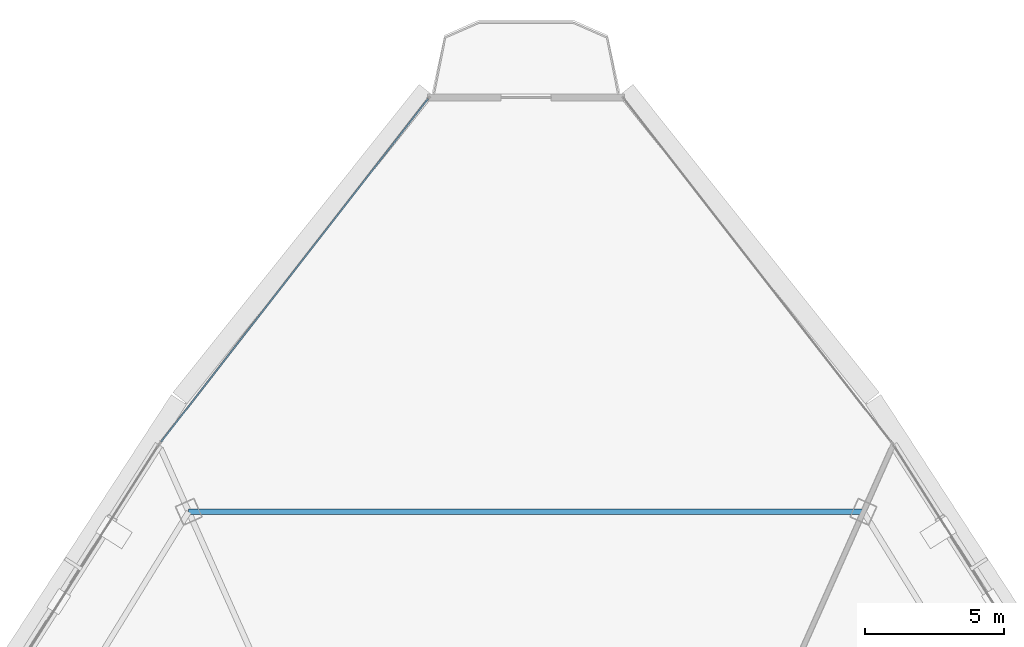
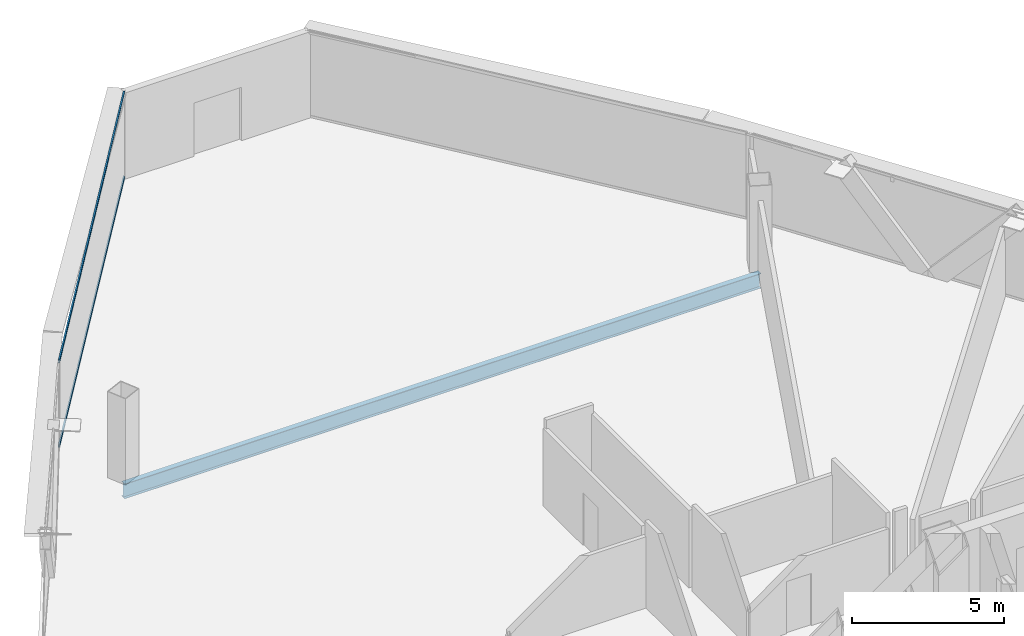
# One storey, part 23 of 39: 2 members, 1 beam, 1 element without a shape of its own.
"""IFC4 building model written with IfcOpenShell, lengths in metres."""

import ifcopenshell
import ifcopenshell.guid

model = None  # the IFC model being written
_history = None  # IfcOwnerHistory: only IFC2X3 demands one
_inside = {}  # id of a spatial element -> (the spatial element, [elements in it])
_under = {}  # id of a project, library or spatial element -> (it, [spatial elements below it])
_declared = {}  # id of a project -> (the project, [libraries it declares])
_typed = {}  # id of a type object -> (the type object, [elements of that type])
_made_of = {}  # id of a material, layer set ... -> (it, [elements and type objects made of it])


def new_model(schema):
    """Start an empty IFC model of exactly this schema.

    Asked for "IFC4X3", IfcOpenShell would pick the latest addendum, in which some entities
    have other attributes; the version numbers below select the first issue.
    IFC2X3 requires an IfcOwnerHistory on every rooted entity: one is made here for all.
    """
    global model, _history
    if schema == "IFC4X3":
        model = ifcopenshell.file(schema_version=(4, 3, 0, 0))
    else:
        model = ifcopenshell.file(schema=schema)
    _inside.clear()
    _under.clear()
    _declared.clear()
    _typed.clear()
    _made_of.clear()
    _history = None
    if model.schema == "IFC2X3":
        org = make("IfcOrganization", Name="unknown")
        user = make(
            "IfcPersonAndOrganization",
            ThePerson=make("IfcPerson", FamilyName="unknown"),
            TheOrganization=org,
        )
        app = make(
            "IfcApplication",
            ApplicationDeveloper=org,
            Version="unknown",
            ApplicationFullName="unknown",
            ApplicationIdentifier="unknown",
        )
        _history = make(
            "IfcOwnerHistory",
            OwningUser=user,
            OwningApplication=app,
            ChangeAction="ADDED",
            CreationDate=0,
        )
    return model


def make(cls, **values):
    """One entity of the class cls with the attributes given. An attribute that is None is left unset."""
    return model.create_entity(
        cls, **{name: value for name, value in values.items() if value is not None}
    )


def rooted(cls, **values):
    """An entity with a GlobalId (a new one), such as an element, a storey or a relation."""
    return make(cls, GlobalId=ifcopenshell.guid.new(), OwnerHistory=_history, **values)


def si_unit(unit_type, name, prefix=None):
    """IfcSIUnit, for example si_unit("LENGTHUNIT", "METRE", prefix="MILLI")."""
    return make("IfcSIUnit", UnitType=unit_type, Prefix=prefix, Name=name)


def assignment(units):
    """IfcUnitAssignment: the units of a project."""
    return None if units is None else make("IfcUnitAssignment", Units=units)


def point(xyz):
    """IfcCartesianPoint."""
    return None if xyz is None else make("IfcCartesianPoint", Coordinates=xyz)


def direction(xyz):
    """IfcDirection."""
    return None if xyz is None else make("IfcDirection", DirectionRatios=xyz)


def frame(location, z_axis=None, x_axis=None):
    """IfcAxis2Placement3D, a coordinate frame: its origin and axes. An axis left out is left unset."""
    return make(
        "IfcAxis2Placement3D",
        Location=point(location),
        Axis=direction(z_axis),
        RefDirection=direction(x_axis),
    )


def frame_2d(location, x_axis=None):
    """IfcAxis2Placement2D, a coordinate frame in the plane: its origin and x axis."""
    return make(
        "IfcAxis2Placement2D", Location=point(location), RefDirection=direction(x_axis)
    )


def origin():
    """The frame at (0, 0, 0) with its axes left unset."""
    return frame((0.0, 0.0, 0.0))


def origin_2d():
    """The frame at (0, 0) in the plane with its x axis left unset."""
    return frame_2d((0.0, 0.0))


def place(relative_to, where):
    """IfcLocalPlacement: puts the frame where relative to a parent placement (None: the world)."""
    return make(
        "IfcLocalPlacement", PlacementRelTo=relative_to, RelativePlacement=where
    )


def context(
    kind, dimensions, precision=None, world=None, true_north=None, identifier=None
):
    """IfcGeometricRepresentationContext, for example the 3D "Model" context."""
    return make(
        "IfcGeometricRepresentationContext",
        ContextIdentifier=identifier,
        ContextType=kind,
        CoordinateSpaceDimension=dimensions,
        Precision=precision,
        WorldCoordinateSystem=world,
        TrueNorth=true_north,
    )


def subcontext(parent, identifier, kind, view, scale=None):
    """IfcGeometricRepresentationSubContext, for example "Body" below "Model"."""
    return make(
        "IfcGeometricRepresentationSubContext",
        ContextIdentifier=identifier,
        ContextType=kind,
        ParentContext=parent,
        TargetScale=scale,
        TargetView=view,
    )


def project(units=None, contexts=None):
    """IfcProject with its units and contexts."""
    return rooted(
        "IfcProject",
        Name="project",
        RepresentationContexts=contexts,
        UnitsInContext=assignment(units),
    )


def spatial(cls, under=None, at=None, **own):
    """A site, building, storey or space (cls), placed at a placement, below another one or the project."""
    s = rooted(cls, ObjectPlacement=at, **own)
    if under is not None:
        _under.setdefault(under.id(), (under, []))[1].append(s)
    return s


def profile(cls, at=None, kind="AREA", **sizes):
    """A parametric profile (cls). Its sizes go by their IFC names, for example OverallWidth=200.0."""
    return make(cls, ProfileType=kind, Position=at, **sizes)


def hollow_rectangle(**sizes):
    """IfcRectangleHollowProfileDef."""
    return profile("IfcRectangleHollowProfileDef", **sizes)


def i_section(**sizes):
    """IfcIShapeProfileDef."""
    return profile("IfcIShapeProfileDef", **sizes)


def extrude(swept, where, along, depth):
    """IfcExtrudedAreaSolid: the profile swept, set in the frame where, extruded along a direction by depth."""
    return make(
        "IfcExtrudedAreaSolid",
        SweptArea=swept,
        Position=where,
        ExtrudedDirection=direction(along),
        Depth=depth,
    )


def shape(context_of_items, identifier, shape_type, items):
    """IfcShapeRepresentation: the items that make up one representation, for example the "Body"."""
    return make(
        "IfcShapeRepresentation",
        ContextOfItems=context_of_items,
        RepresentationIdentifier=identifier,
        RepresentationType=shape_type,
        Items=items,
    )


def source(mapping_origin, context_of_items, identifier, shape_type, items):
    """IfcRepresentationMap: a shape defined once, which mapped items show again and again."""
    return make(
        "IfcRepresentationMap",
        MappingOrigin=mapping_origin,
        MappedRepresentation=shape(context_of_items, identifier, shape_type, items),
    )


def transform(
    local_origin,
    x_axis=None,
    y_axis=None,
    z_axis=None,
    scale=None,
    scale2=None,
    scale3=None,
    uniform=True,
):
    """IfcCartesianTransformationOperator3D, or its non-uniform kind. x_axis, y_axis, z_axis: its Axis1, 2, 3."""
    if uniform:
        return make(
            "IfcCartesianTransformationOperator3D",
            Axis1=direction(x_axis),
            Axis2=direction(y_axis),
            LocalOrigin=point(local_origin),
            Scale=scale,
            Axis3=direction(z_axis),
        )
    return make(
        "IfcCartesianTransformationOperator3DnonUniform",
        Axis1=direction(x_axis),
        Axis2=direction(y_axis),
        LocalOrigin=point(local_origin),
        Scale=scale,
        Axis3=direction(z_axis),
        Scale2=scale2,
        Scale3=scale3,
    )


def mapped(mapping_source, mapping_target):
    """IfcMappedItem: shows the shape of a source again, moved by a transform."""
    return make(
        "IfcMappedItem", MappingSource=mapping_source, MappingTarget=mapping_target
    )


def material(Name=None, Category=None):
    """IfcMaterial."""
    return make("IfcMaterial", Name=Name, Category=Category)


def layer(
    of_material, thickness, ventilated=None, Name=None, Category=None, Priority=None
):
    """IfcMaterialLayer: one layer of a wall or slab, of a material (None: an air gap)."""
    return make(
        "IfcMaterialLayer",
        Material=of_material,
        LayerThickness=thickness,
        IsVentilated=ventilated,
        Name=Name,
        Category=Category,
        Priority=Priority,
    )


def layer_set(layers, Name=None):
    """IfcMaterialLayerSet."""
    return make("IfcMaterialLayerSet", MaterialLayers=layers, LayerSetName=Name)


def material_profile(
    of_material, cross_section, Name=None, Category=None, Priority=None
):
    """IfcMaterialProfile: a cross section and its material."""
    return make(
        "IfcMaterialProfile",
        Name=Name,
        Material=of_material,
        Profile=cross_section,
        Priority=Priority,
        Category=Category,
    )


def profile_set(profiles, Name=None, composite=None):
    """IfcMaterialProfileSet."""
    return make(
        "IfcMaterialProfileSet",
        Name=Name,
        MaterialProfiles=profiles,
        CompositeProfile=composite,
    )


def made_of(thing, what):
    """Note that an element or type object is made of a material, layer set ...; save() writes the relation."""
    if what is not None:
        _made_of.setdefault(what.id(), (what, []))[1].append(thing)
    return thing


def type_object(cls, material=None, **own):
    """A type object (cls), such as IfcWallType, which elements share."""
    return made_of(rooted(cls, **own), material)


def element(
    cls,
    number,
    at=None,
    inside=None,
    cuts=None,
    type_object=None,
    material=None,
    context=None,
    identifier="Body",
    shape_type=None,
    held_by="IfcProductDefinitionShape",
    body=None,
    shapes=None,
    **own,
):
    """One element of the class cls, such as IfcWall. Its Tag is "e" and its number.

    at: its placement. inside: the storey or other place that contains it. cuts: it is an
    opening in that element (IfcRelVoidsElement). A single representation is given by context,
    identifier, shape_type and body (its items); several are given by shapes. held_by: the class
    of the entity that holds the representations. save() writes the other relations.
    """
    e = rooted(cls, Tag="e%d" % number, ObjectPlacement=at, **own)
    if body is not None:
        shapes = [shape(context, identifier, shape_type, body)]
    if shapes is not None:
        e.Representation = make(held_by, Representations=shapes)
    if inside is not None:
        _inside.setdefault(inside.id(), (inside, []))[1].append(e)
    if cuts is not None:
        rooted(
            "IfcRelVoidsElement", RelatingBuildingElement=cuts, RelatedOpeningElement=e
        )
    if type_object is not None:
        _typed.setdefault(type_object.id(), (type_object, []))[1].append(e)
    return made_of(e, material)


def aggregate(whole, parts):
    """IfcRelAggregates: a whole, such as a stair, and the parts it consists of."""
    return rooted("IfcRelAggregates", RelatingObject=whole, RelatedObjects=parts)


def save(model, path):
    """Write the relations noted so far, then the file.

    IfcRelAggregates (storeys below a building ...), IfcRelContainedInSpatialStructure (elements
    in a storey), IfcRelDefinesByType, IfcRelAssociatesMaterial and IfcRelDeclares: one each for
    every whole, place, type object, material and project.
    """
    for whole, parts in _under.values():
        aggregate(whole, parts)
    for where, things in _inside.values():
        rooted(
            "IfcRelContainedInSpatialStructure",
            RelatedElements=things,
            RelatingStructure=where,
        )
    for kind, things in _typed.values():
        rooted("IfcRelDefinesByType", RelatedObjects=things, RelatingType=kind)
    for what, things in _made_of.values():
        rooted("IfcRelAssociatesMaterial", RelatedObjects=things, RelatingMaterial=what)
    for by, libraries in _declared.values():
        rooted("IfcRelDeclares", RelatingContext=by, RelatedDefinitions=libraries)
    model.write(path)


model = new_model("IFC4")

# Units and contexts
model_context = context("Model", 3, precision=1e-05, world=origin(), true_north=direction((0.0, 1.0)))
body_context = subcontext(model_context, "Body", "Model", "MODEL_VIEW")
ifc_project = project(units=[si_unit("LENGTHUNIT", "METRE"), si_unit("AREAUNIT", "SQUARE_METRE"), si_unit("VOLUMEUNIT", "CUBIC_METRE"), si_unit("PLANEANGLEUNIT", "RADIAN"), si_unit("MASSUNIT", "GRAM", prefix="KILO"), si_unit("THERMODYNAMICTEMPERATUREUNIT", "KELVIN"), si_unit("POWERUNIT", "WATT")], contexts=[model_context])

# Site, building, storey
site_placement = place(None, origin())
site = spatial("IfcSite", under=ifc_project, at=site_placement, CompositionType="ELEMENT")
building_placement = place(site_placement, origin())
building = spatial("IfcBuilding", under=site, at=building_placement, Name="Yunzhuo Pagoda Commons", CompositionType="ELEMENT")
storey_placement = place(building_placement, frame((0.0, 0.0, 296.2099609375)))
storey = spatial("IfcBuildingStorey", under=building, at=storey_placement, Name="L74", CompositionType="ELEMENT", Elevation=296.2099609375)

# Beam
ifc_material_1 = material(Name="Structural steel Q355B", Category="steel")
ifc_material_profile_1 = material_profile(ifc_material_1, i_section(OverallWidth=0.199951171875, OverallDepth=0.60009765625, WebThickness=0.010986328125, FlangeThickness=0.01708984375, at=origin_2d()), Name="Structural steel Q355B")
ifc_profile_set_1 = profile_set([ifc_material_profile_1], Name="Structural steel Q355B")
beam_type = type_object("IfcBeamType", Name="B-RG3 Beam HN 600x200x11x17", PredefinedType="BEAM", material=ifc_profile_set_1)
shared_shape_1 = source(origin(), body_context, "Body", "SweptSolid", [
    extrude(i_section(OverallWidth=0.199951171875, OverallDepth=0.60009765625, WebThickness=0.010986328125, FlangeThickness=0.01708984375, at=origin_2d()), origin(), (0.0, 0.0, 1.0), 24.228515625),
])
beam_placement = place(storey_placement, frame((60.1142578125, 60.9091796875, -0.56005859375), z_axis=(-1.0, 0.0, 0.0), x_axis=(0.0, -1.0, 0.0)))
element("IfcBeam", 1, at=beam_placement, inside=storey, type_object=beam_type, Name="L74 column-ring beam 8", PredefinedType="BEAM", context=body_context, shape_type="MappedRepresentation", body=[
    mapped(shared_shape_1, transform((0.0, 0.0, 0.0), scale=1.0)),
])

# Curtain wall, members
ifc_material_2 = material(Name="Anodized aluminium 6063-T6", Category="aluminium")
ifc_layer = layer(ifc_material_2, 0.139892578125)
ifc_layer_set = layer_set([ifc_layer], Name="Anodized aluminium 6063-T6")
curtain_wall_type = type_object("IfcCurtainWallType", Name="CW-HI High-Zone Ribbon Curtain Wall", PredefinedType="NOTDEFINED", material=ifc_layer_set)
curtain_wall_placement = place(storey_placement, origin())
curtain_wall = element("IfcCurtainWall", 2, at=curtain_wall_placement, inside=storey, type_object=curtain_wall_type, Name="L74 curtain wall CW-L74-F3B1", PredefinedType="NOTDEFINED")
ifc_material_profile_2 = material_profile(ifc_material_2, hollow_rectangle(XDim=0.054931640625, YDim=0.1201171875, WallThickness=0.00341796875, at=origin_2d()), Name="Anodized aluminium 6063-T6")
ifc_profile_set_2 = profile_set([ifc_material_profile_2], Name="Anodized aluminium 6063-T6")
member_type = type_object("IfcMemberType", Name="CW-HI-T Transom RHS 120x55x3.5", PredefinedType="USERDEFINED", material=ifc_profile_set_2)
shared_shape_2 = source(origin(), body_context, "Body", "SweptSolid", [
    extrude(hollow_rectangle(XDim=0.054931640625, YDim=0.1201171875, WallThickness=0.00341796875, at=origin_2d()), origin(), (0.0, 0.0, 1.0), 15.608642578125),
])
member_1_placement = place(storey_placement, frame((44.483154296875, 75.742919921875, 0.027587890625), z_axis=(-0.614253513631, -0.789108751055, 0.0), x_axis=(0.789108751055, -0.614253513631, 0.0)))
member_1 = element("IfcMember", 3, at=member_1_placement, type_object=member_type, Name="CW transom 1.1", ObjectType="TRANSOM", PredefinedType="USERDEFINED", context=body_context, shape_type="MappedRepresentation", body=[
    mapped(shared_shape_2, transform((0.0, 0.0, 0.0), scale=1.0)),
])
member_2_placement = place(storey_placement, frame((44.483154296875, 75.742919921875, 3.442626953125), z_axis=(-0.614253513631, -0.789108751055, 0.0), x_axis=(0.789108751055, -0.614253513631, 0.0)))
member_2 = element("IfcMember", 4, at=member_2_placement, type_object=member_type, Name="CW transom 1.2", ObjectType="TRANSOM", PredefinedType="USERDEFINED", context=body_context, shape_type="MappedRepresentation", body=[
    mapped(shared_shape_2, transform((0.0, 0.0, 0.0), scale=1.0)),
])
aggregate(curtain_wall, [member_1, member_2])

save(model, "model.ifc")
